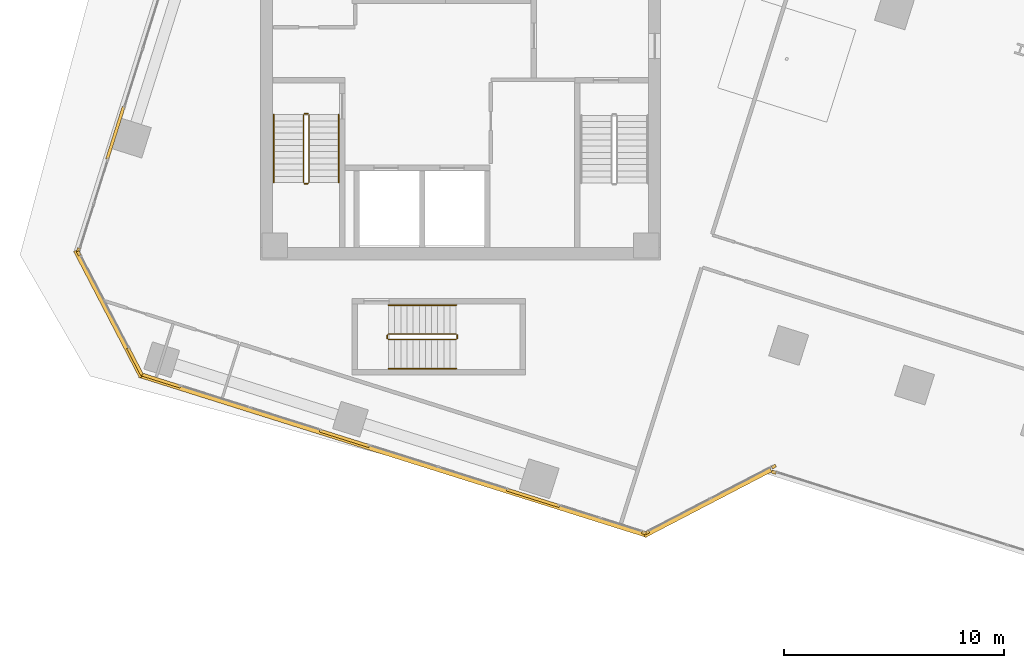
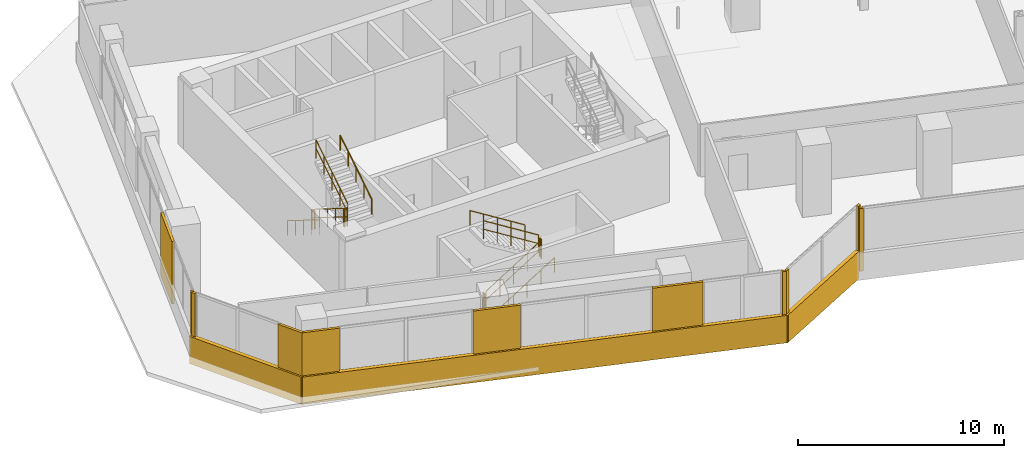
# One storey, part 24 of 28: 14 coverings, 12 railings.
"""IFC4 building model written with IfcOpenShell, lengths in metres."""

from ifc_helpers import new_model, si_unit, direction, frame, origin, origin_2d, place, context, subcontext, project, spatial, rectangle, circle, extrude, source, transform, mapped, material, layer, layer_set, type_object, element, save


model = new_model("IFC4")

# Units and contexts
model_context = context("Model", 3, precision=1e-05, world=origin(), true_north=direction((0.0, 1.0)))
body_context = subcontext(model_context, "Body", "Model", "MODEL_VIEW")
ifc_project = project(units=[si_unit("LENGTHUNIT", "METRE"), si_unit("AREAUNIT", "SQUARE_METRE"), si_unit("VOLUMEUNIT", "CUBIC_METRE"), si_unit("PLANEANGLEUNIT", "RADIAN"), si_unit("MASSUNIT", "GRAM", prefix="KILO")], contexts=[model_context])

# Site, building, storey
site_placement = place(None, origin())
site = spatial("IfcSite", under=ifc_project, at=site_placement, CompositionType="ELEMENT")
building_placement = place(site_placement, origin())
building = spatial("IfcBuilding", under=site, at=building_placement, Name="Torre Montelarca", CompositionType="ELEMENT")
storey_placement = place(building_placement, frame((0.0, 0.0, 112.60009765625)))
storey = spatial("IfcBuildingStorey", under=building, at=storey_placement, Name="L25", CompositionType="ELEMENT", Elevation=112.60009765625)

# Railings
ifc_material_1 = material(Name="Powder-coated steel ASTM A500 Grade C", Category="steel")
railing_type_1 = type_object("IfcRailingType", Name="RL-GUARD-1100", PredefinedType="BALUSTRADE", material=ifc_material_1)
railing_1_placement = place(storey_placement, frame((10.85009765625, 30.5, 0.1748046875)))
element("IfcRailing", 1, at=railing_1_placement, inside=storey, type_object=railing_type_1, Name="L25 ST1 stair guard 1", PredefinedType="BALUSTRADE", context=body_context, shape_type="SweptSolid", body=[
    extrude(circle(Radius=0.02392578125, at=origin_2d()), frame((0.0, 0.0, 1.076171875), z_axis=(0.0, -0.847998304005, 0.529998940003), x_axis=(1.0, 0.0, 0.0)), (0.0, 0.0, 1.0), 3.632080078125),
    extrude(circle(Radius=0.02099609375, at=origin_2d()), frame((0.0, 0.0, 0.572021484375), z_axis=(0.0, -0.847998304005, 0.529998940003), x_axis=(1.0, 0.0, 0.0)), (0.0, 0.0, 1.0), 3.632080078125),
    extrude(circle(Radius=0.02099609375, at=origin_2d()), origin(), (0.0, 0.0, 1.0), 1.052001953125),
    extrude(circle(Radius=0.02099609375, at=origin_2d()), frame((0.0, -0.77001953125, 0.481201171875)), (0.0, 0.0, 1.0), 1.052001953125),
    extrude(circle(Radius=0.02099609375, at=origin_2d()), frame((0.0, -1.5400390625, 0.96240234375)), (0.0, 0.0, 1.0), 1.052001953125),
    extrude(circle(Radius=0.02099609375, at=origin_2d()), frame((0.0, -2.31005859375, 1.44384765625)), (0.0, 0.0, 1.0), 1.052001953125),
    extrude(circle(Radius=0.02099609375, at=origin_2d()), frame((0.0, -3.080078125, 1.925048828125)), (0.0, 0.0, 1.0), 1.052001953125),
])
railing_2_placement = place(storey_placement, frame((10.89990234375, 27.3701171875, 2.099853515625)))
element("IfcRailing", 2, at=railing_2_placement, inside=storey, type_object=railing_type_1, Name="L25 ST1 stair guard 2", PredefinedType="BALUSTRADE", context=body_context, shape_type="SweptSolid", body=[
    extrude(circle(Radius=0.02392578125, at=origin_2d()), frame((0.0, 0.0, 1.076171875), z_axis=(1.0, 0.0, 0.0), x_axis=(0.0, 1.0, 0.0)), (0.0, 0.0, 1.0), 0.150146484375),
    extrude(circle(Radius=0.02099609375, at=origin_2d()), frame((0.0, 0.0, 0.572021484375), z_axis=(1.0, 0.0, 0.0), x_axis=(0.0, 1.0, 0.0)), (0.0, 0.0, 1.0), 0.150146484375),
    extrude(circle(Radius=0.02099609375, at=origin_2d()), origin(), (0.0, 0.0, 1.0), 1.052001953125),
    extrude(circle(Radius=0.02099609375, at=origin_2d()), frame((0.150146484375, 0.0, 0.0)), (0.0, 0.0, 1.0), 1.052001953125),
])
railing_3_placement = place(storey_placement, frame((11.10009765625, 27.419921875, 2.27490234375)))
element("IfcRailing", 3, at=railing_3_placement, inside=storey, type_object=railing_type_1, Name="L25 ST1 stair guard 3", PredefinedType="BALUSTRADE", context=body_context, shape_type="SweptSolid", body=[
    extrude(circle(Radius=0.02392578125, at=origin_2d()), frame((0.0, 0.0, 1.076171875), z_axis=(0.0, 0.847998304005, 0.529998940003), x_axis=(-1.0, 0.0, 0.0)), (0.0, 0.0, 1.0), 3.632080078125),
    extrude(circle(Radius=0.02099609375, at=origin_2d()), frame((0.0, 0.0, 0.572021484375), z_axis=(0.0, 0.847998304005, 0.529998940003), x_axis=(-1.0, 0.0, 0.0)), (0.0, 0.0, 1.0), 3.632080078125),
    extrude(circle(Radius=0.02099609375, at=origin_2d()), origin(), (0.0, 0.0, 1.0), 1.052001953125),
    extrude(circle(Radius=0.02099609375, at=origin_2d()), frame((0.0, 0.77001953125, 0.481201171875)), (0.0, 0.0, 1.0), 1.052001953125),
    extrude(circle(Radius=0.02099609375, at=origin_2d()), frame((0.0, 1.5400390625, 0.96240234375)), (0.0, 0.0, 1.0), 1.052001953125),
    extrude(circle(Radius=0.02099609375, at=origin_2d()), frame((0.0, 2.31005859375, 1.44384765625)), (0.0, 0.0, 1.0), 1.052001953125),
    extrude(circle(Radius=0.02099609375, at=origin_2d()), frame((0.0, 3.080078125, 1.925048828125)), (0.0, 0.0, 1.0), 1.052001953125),
])
railing_4_placement = place(storey_placement, frame((10.89990234375, 30.550048828125, 0.0)))
element("IfcRailing", 4, at=railing_4_placement, inside=storey, type_object=railing_type_1, Name="L25 ST1 stair guard 4", PredefinedType="BALUSTRADE", context=body_context, shape_type="SweptSolid", body=[
    extrude(circle(Radius=0.02392578125, at=origin_2d()), frame((0.0, 0.0, 1.076171875), z_axis=(1.0, 0.0, 0.0), x_axis=(0.0, 1.0, 0.0)), (0.0, 0.0, 1.0), 0.150146484375),
    extrude(circle(Radius=0.02099609375, at=origin_2d()), frame((0.0, 0.0, 0.572021484375), z_axis=(1.0, 0.0, 0.0), x_axis=(0.0, 1.0, 0.0)), (0.0, 0.0, 1.0), 0.150146484375),
    extrude(circle(Radius=0.02099609375, at=origin_2d()), origin(), (0.0, 0.0, 1.0), 1.052001953125),
    extrude(circle(Radius=0.02099609375, at=origin_2d()), frame((0.150146484375, 0.0, 0.0)), (0.0, 0.0, 1.0), 1.052001953125),
])
railing_5_placement = place(storey_placement, frame((14.719970703125, 20.27001953125, 0.1748046875)))
element("IfcRailing", 5, at=railing_5_placement, inside=storey, type_object=railing_type_1, Name="L25 ST3 stair guard 1", PredefinedType="BALUSTRADE", context=body_context, shape_type="SweptSolid", body=[
    extrude(circle(Radius=0.02392578125, at=origin_2d()), frame((0.0, 0.0, 1.076171875), z_axis=(0.847998304005, 0.0, 0.529998940003), x_axis=(0.0, 1.0, 0.0)), (0.0, 0.0, 1.0), 3.632080078125),
    extrude(circle(Radius=0.02099609375, at=origin_2d()), frame((0.0, 0.0, 0.572021484375), z_axis=(0.847998304005, 0.0, 0.529998940003), x_axis=(0.0, 1.0, 0.0)), (0.0, 0.0, 1.0), 3.632080078125),
    extrude(circle(Radius=0.02099609375, at=origin_2d()), origin(), (0.0, 0.0, 1.0), 1.052001953125),
    extrude(circle(Radius=0.02099609375, at=origin_2d()), frame((0.77001953125, 0.0, 0.481201171875)), (0.0, 0.0, 1.0), 1.052001953125),
    extrude(circle(Radius=0.02099609375, at=origin_2d()), frame((1.5400390625, 0.0, 0.96240234375)), (0.0, 0.0, 1.0), 1.052001953125),
    extrude(circle(Radius=0.02099609375, at=origin_2d()), frame((2.31005859375, 0.0, 1.44384765625)), (0.0, 0.0, 1.0), 1.052001953125),
    extrude(circle(Radius=0.02099609375, at=origin_2d()), frame((3.080078125, 0.0, 1.925048828125)), (0.0, 0.0, 1.0), 1.052001953125),
])
railing_6_placement = place(storey_placement, frame((17.85009765625, 20.320068359375, 2.099853515625)))
element("IfcRailing", 6, at=railing_6_placement, inside=storey, type_object=railing_type_1, Name="L25 ST3 stair guard 2", PredefinedType="BALUSTRADE", context=body_context, shape_type="SweptSolid", body=[
    extrude(circle(Radius=0.02392578125, at=origin_2d()), frame((0.0, 0.0, 1.076171875), z_axis=(0.0, 1.0, 0.0), x_axis=(-1.0, 0.0, 0.0)), (0.0, 0.0, 1.0), 0.14990234375),
    extrude(circle(Radius=0.02099609375, at=origin_2d()), frame((0.0, 0.0, 0.572021484375), z_axis=(0.0, 1.0, 0.0), x_axis=(-1.0, 0.0, 0.0)), (0.0, 0.0, 1.0), 0.14990234375),
    extrude(circle(Radius=0.02099609375, at=origin_2d()), origin(), (0.0, 0.0, 1.0), 1.052001953125),
    extrude(circle(Radius=0.02099609375, at=origin_2d()), frame((0.0, 0.14990234375, 0.0)), (0.0, 0.0, 1.0), 1.052001953125),
])
railing_7_placement = place(storey_placement, frame((17.800048828125, 20.52001953125, 2.27490234375)))
element("IfcRailing", 7, at=railing_7_placement, inside=storey, type_object=railing_type_1, Name="L25 ST3 stair guard 3", PredefinedType="BALUSTRADE", context=body_context, shape_type="SweptSolid", body=[
    extrude(circle(Radius=0.02392578125, at=origin_2d()), frame((0.0, 0.0, 1.076171875), z_axis=(-0.847998304005, 0.0, 0.529998940003), x_axis=(0.0, -1.0, 0.0)), (0.0, 0.0, 1.0), 3.632080078125),
    extrude(circle(Radius=0.02099609375, at=origin_2d()), frame((0.0, 0.0, 0.572021484375), z_axis=(-0.847998304005, 0.0, 0.529998940003), x_axis=(0.0, -1.0, 0.0)), (0.0, 0.0, 1.0), 3.632080078125),
    extrude(circle(Radius=0.02099609375, at=origin_2d()), origin(), (0.0, 0.0, 1.0), 1.052001953125),
    extrude(circle(Radius=0.02099609375, at=origin_2d()), frame((-0.77001953125, 0.0, 0.481201171875)), (0.0, 0.0, 1.0), 1.052001953125),
    extrude(circle(Radius=0.02099609375, at=origin_2d()), frame((-1.5400390625, 0.0, 0.96240234375)), (0.0, 0.0, 1.0), 1.052001953125),
    extrude(circle(Radius=0.02099609375, at=origin_2d()), frame((-2.31005859375, 0.0, 1.44384765625)), (0.0, 0.0, 1.0), 1.052001953125),
    extrude(circle(Radius=0.02099609375, at=origin_2d()), frame((-3.080078125, 0.0, 1.925048828125)), (0.0, 0.0, 1.0), 1.052001953125),
])
railing_8_placement = place(storey_placement, frame((14.669921875, 20.320068359375, 0.0)))
element("IfcRailing", 8, at=railing_8_placement, inside=storey, type_object=railing_type_1, Name="L25 ST3 stair guard 4", PredefinedType="BALUSTRADE", context=body_context, shape_type="SweptSolid", body=[
    extrude(circle(Radius=0.02392578125, at=origin_2d()), frame((0.0, 0.0, 1.076171875), z_axis=(0.0, 1.0, 0.0), x_axis=(-1.0, 0.0, 0.0)), (0.0, 0.0, 1.0), 0.14990234375),
    extrude(circle(Radius=0.02099609375, at=origin_2d()), frame((0.0, 0.0, 0.572021484375), z_axis=(0.0, 1.0, 0.0), x_axis=(-1.0, 0.0, 0.0)), (0.0, 0.0, 1.0), 0.14990234375),
    extrude(circle(Radius=0.02099609375, at=origin_2d()), origin(), (0.0, 0.0, 1.0), 1.052001953125),
    extrude(circle(Radius=0.02099609375, at=origin_2d()), frame((0.0, 0.14990234375, 0.0)), (0.0, 0.0, 1.0), 1.052001953125),
])
ifc_material_2 = material(Name="Brushed stainless steel AISI 316", Category="steel")
railing_type_2 = type_object("IfcRailingType", Name="RL-HANDRAIL-900", PredefinedType="HANDRAIL", material=ifc_material_2)
railing_9_placement = place(storey_placement, frame((9.5, 30.5, 0.1748046875)))
element("IfcRailing", 9, at=railing_9_placement, inside=storey, type_object=railing_type_2, Name="L25 ST1 stair handrail 1", PredefinedType="HANDRAIL", context=body_context, shape_type="SweptSolid", body=[
    extrude(circle(Radius=0.02392578125, at=origin_2d()), frame((0.0, 0.0, 0.8759765625), z_axis=(0.0, -0.847998304005, 0.529998940003), x_axis=(1.0, 0.0, 0.0)), (0.0, 0.0, 1.0), 3.632080078125),
    extrude(circle(Radius=0.02099609375, at=origin_2d()), origin(), (0.0, 0.0, 1.0), 0.851806640625),
    extrude(circle(Radius=0.02099609375, at=origin_2d()), frame((0.0, -0.77001953125, 0.481201171875)), (0.0, 0.0, 1.0), 0.851806640625),
    extrude(circle(Radius=0.02099609375, at=origin_2d()), frame((0.0, -1.5400390625, 0.96240234375)), (0.0, 0.0, 1.0), 0.851806640625),
    extrude(circle(Radius=0.02099609375, at=origin_2d()), frame((0.0, -2.31005859375, 1.44384765625)), (0.0, 0.0, 1.0), 0.851806640625),
    extrude(circle(Radius=0.02099609375, at=origin_2d()), frame((0.0, -3.080078125, 1.925048828125)), (0.0, 0.0, 1.0), 0.851806640625),
])
railing_10_placement = place(storey_placement, frame((12.449951171875, 27.419921875, 2.27490234375)))
element("IfcRailing", 10, at=railing_10_placement, inside=storey, type_object=railing_type_2, Name="L25 ST1 stair handrail 2", PredefinedType="HANDRAIL", context=body_context, shape_type="SweptSolid", body=[
    extrude(circle(Radius=0.02392578125, at=origin_2d()), frame((0.0, 0.0, 0.8759765625), z_axis=(0.0, 0.847998304005, 0.529998940003), x_axis=(-1.0, 0.0, 0.0)), (0.0, 0.0, 1.0), 3.632080078125),
    extrude(circle(Radius=0.02099609375, at=origin_2d()), origin(), (0.0, 0.0, 1.0), 0.851806640625),
    extrude(circle(Radius=0.02099609375, at=origin_2d()), frame((0.0, 0.77001953125, 0.481201171875)), (0.0, 0.0, 1.0), 0.851806640625),
    extrude(circle(Radius=0.02099609375, at=origin_2d()), frame((0.0, 1.5400390625, 0.96240234375)), (0.0, 0.0, 1.0), 0.851806640625),
    extrude(circle(Radius=0.02099609375, at=origin_2d()), frame((0.0, 2.31005859375, 1.44384765625)), (0.0, 0.0, 1.0), 0.851806640625),
    extrude(circle(Radius=0.02099609375, at=origin_2d()), frame((0.0, 3.080078125, 1.925048828125)), (0.0, 0.0, 1.0), 0.851806640625),
])
railing_11_placement = place(storey_placement, frame((14.719970703125, 18.949951171875, 0.1748046875)))
element("IfcRailing", 11, at=railing_11_placement, inside=storey, type_object=railing_type_2, Name="L25 ST3 stair handrail 1", PredefinedType="HANDRAIL", context=body_context, shape_type="SweptSolid", body=[
    extrude(circle(Radius=0.02392578125, at=origin_2d()), frame((0.0, 0.0, 0.8759765625), z_axis=(0.847998304005, 0.0, 0.529998940003), x_axis=(0.0, 1.0, 0.0)), (0.0, 0.0, 1.0), 3.632080078125),
    extrude(circle(Radius=0.02099609375, at=origin_2d()), origin(), (0.0, 0.0, 1.0), 0.851806640625),
    extrude(circle(Radius=0.02099609375, at=origin_2d()), frame((0.77001953125, 0.0, 0.481201171875)), (0.0, 0.0, 1.0), 0.851806640625),
    extrude(circle(Radius=0.02099609375, at=origin_2d()), frame((1.5400390625, 0.0, 0.96240234375)), (0.0, 0.0, 1.0), 0.851806640625),
    extrude(circle(Radius=0.02099609375, at=origin_2d()), frame((2.31005859375, 0.0, 1.44384765625)), (0.0, 0.0, 1.0), 0.851806640625),
    extrude(circle(Radius=0.02099609375, at=origin_2d()), frame((3.080078125, 0.0, 1.925048828125)), (0.0, 0.0, 1.0), 0.851806640625),
])
railing_12_placement = place(storey_placement, frame((17.800048828125, 21.840087890625, 2.27490234375)))
element("IfcRailing", 12, at=railing_12_placement, inside=storey, type_object=railing_type_2, Name="L25 ST3 stair handrail 2", PredefinedType="HANDRAIL", context=body_context, shape_type="SweptSolid", body=[
    extrude(circle(Radius=0.02392578125, at=origin_2d()), frame((0.0, 0.0, 0.8759765625), z_axis=(-0.847998304005, 0.0, 0.529998940003), x_axis=(0.0, -1.0, 0.0)), (0.0, 0.0, 1.0), 3.632080078125),
    extrude(circle(Radius=0.02099609375, at=origin_2d()), origin(), (0.0, 0.0, 1.0), 0.851806640625),
    extrude(circle(Radius=0.02099609375, at=origin_2d()), frame((-0.77001953125, 0.0, 0.481201171875)), (0.0, 0.0, 1.0), 0.851806640625),
    extrude(circle(Radius=0.02099609375, at=origin_2d()), frame((-1.5400390625, 0.0, 0.96240234375)), (0.0, 0.0, 1.0), 0.851806640625),
    extrude(circle(Radius=0.02099609375, at=origin_2d()), frame((-2.31005859375, 0.0, 1.44384765625)), (0.0, 0.0, 1.0), 0.851806640625),
    extrude(circle(Radius=0.02099609375, at=origin_2d()), frame((-3.080078125, 0.0, 1.925048828125)), (0.0, 0.0, 1.0), 0.851806640625),
])

# Coverings
ifc_material_3 = material(Name="Bush-hammered warm white precast concrete C45/55", Category="concrete")
ifc_layer = layer(ifc_material_3, 0.139892578125, Name="Bush-hammered warm white precast concrete C45/55", Category="concrete")
ifc_layer_set = layer_set([ifc_layer], Name="Bush-hammered warm white precast concrete C45/55")
covering_type = type_object("IfcCoveringType", Name="COV-TRAY-CLAD", PredefinedType="CLADDING", material=ifc_layer_set)
shared_shape_1 = source(origin(), body_context, "Body", "SweptSolid", [
    extrude(rectangle(XDim=24.219970703125, YDim=0.219970703125, at=origin_2d()), origin(), (0.0, 0.0, 1.0), 1.6201171875),
])
covering_1_placement = place(storey_placement, frame((14.939453125, 15.016845703125, -0.4501953125), z_axis=(0.0, 0.0, 1.0), x_axis=(0.953716950748, -0.300705799504, 0.0)))
element("IfcCovering", 13, at=covering_1_placement, inside=storey, type_object=covering_type, Name="L25 Architectural White Spandrel Tray Band TRYBOT-01", PredefinedType="CLADDING", context=body_context, shape_type="MappedRepresentation", body=[
    mapped(shared_shape_1, transform((0.0, 0.0, 0.0), scale=1.0)),
])
shared_shape_2 = source(origin(), body_context, "Body", "SweptSolid", [
    extrude(rectangle(XDim=6.48388671875, YDim=0.219970703125, at=origin_2d()), origin(), (0.0, 0.0, 1.0), 1.6201171875),
])
for number, where, z_axis, x_axis, name in (
    (14, (29.231201171875, 12.860595703125, -0.4501953125), (0.0, 0.0, 1.0), (0.88701405677, 0.46174242072, 0.0), "L25 Architectural White Spandrel Tray Band TRYBOT-02"),
    (15, (1.995361328125, 21.447998046875, -0.4501953125), (0.0, 0.0, 1.0), (0.461754805728, -0.887007609543, 0.0), "L25 Architectural White Spandrel Tray Band TRYBOT-11"),
):
    element("IfcCovering", number, at=place(storey_placement, frame(where, z_axis=z_axis, x_axis=x_axis)), inside=storey, type_object=covering_type, Name=name, PredefinedType="CLADDING", context=body_context, shape_type="MappedRepresentation", body=[
        mapped(shared_shape_2, transform((0.0, 0.0, 0.0), scale=1.0)),
    ])
shared_shape_3 = source(origin(), body_context, "Body", "SweptSolid", [
    extrude(rectangle(XDim=0.199951171875, YDim=0.139892578125, at=origin_2d()), origin(), (0.0, 0.0, 1.0), 3.719970703125),
])
for number, where, z_axis, x_axis, name in (
    (16, (26.33935546875, 11.4853515625, 0.0), (0.0, 0.0, 1.0), (0.953717475577, -0.300704134954, 0.0), "L25 Architectural Column Pier Cladding E01-4"),
    (17, (26.48388671875, 11.498046875, 0.0), (0.0, 0.0, 1.0), (0.88701163908, 0.461747065108, 0.0), "L25 Architectural Column Pier Cladding E02-1"),
    (18, (32.24951171875, 14.49951171875, 0.0), (0.0, 0.0, 1.0), (0.88701163908, 0.461747065108, 0.0), "L25 Architectural Column Pier Cladding E02-2"),
    (19, (32.247802734375, 14.23583984375, 0.0), (0.0, 0.0, 1.0), (0.953718000404, -0.300702470402, 0.0), "L25 Architectural Column Pier Cladding E04-1"),
    (20, (0.6201171875, 24.340087890625, 0.0), (0.0, 0.0, 1.0), (-0.300707464054, -0.953716425916, 0.0), "L25 Architectural Column Pier Cladding E10-5"),
    (21, (0.6328125, 24.195556640625, 0.0), (0.0, 0.0, 1.0), (0.461748613235, -0.887010833178, 0.0), "L25 Architectural Column Pier Cladding E11-1"),
):
    element("IfcCovering", number, at=place(storey_placement, frame(where, z_axis=z_axis, x_axis=x_axis)), inside=storey, type_object=covering_type, Name=name, PredefinedType="CLADDING", context=body_context, shape_type="MappedRepresentation", body=[
        mapped(shared_shape_3, transform((0.0, 0.0, 0.0), scale=1.0)),
    ])
shared_shape_4 = source(origin(), body_context, "Body", "SweptSolid", [
    extrude(rectangle(XDim=2.360107421875, YDim=0.139892578125, at=origin_2d()), origin(), (0.0, 0.0, 1.0), 3.719970703125),
])
covering_2_placement = place(storey_placement, frame((12.71630859375, 15.78076171875, 0.0), z_axis=(0.0, 0.0, 1.0), x_axis=(0.953717475577, -0.300704134954, 0.0)))
element("IfcCovering", 22, at=covering_2_placement, inside=storey, type_object=covering_type, Name="L25 Architectural Column Pier Cladding E01-2", PredefinedType="CLADDING", context=body_context, shape_type="MappedRepresentation", body=[
    mapped(shared_shape_4, transform((0.0, 0.0, 0.0), scale=1.0)),
])
shared_shape_5 = source(origin(), body_context, "Body", "SweptSolid", [
    extrude(rectangle(XDim=2.510009765625, YDim=0.139892578125, at=origin_2d()), origin(), (0.0, 0.0, 1.0), 3.719970703125),
])
for number, where, z_axis, x_axis, name in (
    (23, (21.2998046875, 13.074462890625, 0.0), (0.0, 0.0, 1.0), (0.953717475577, -0.300704134954, 0.0), "L25 Architectural Column Pier Cladding E01-3"),
    (24, (2.29931640625, 29.665771484375, 0.0), (0.0, 0.0, 1.0), (-0.300707464054, -0.953716425916, 0.0), "L25 Architectural Column Pier Cladding E10-4"),
):
    element("IfcCovering", number, at=place(storey_placement, frame(where, z_axis=z_axis, x_axis=x_axis)), inside=storey, type_object=covering_type, Name=name, PredefinedType="CLADDING", context=body_context, shape_type="MappedRepresentation", body=[
        mapped(shared_shape_5, transform((0.0, 0.0, 0.0), scale=1.0)),
    ])
shared_shape_6 = source(origin(), body_context, "Body", "SweptSolid", [
    extrude(rectangle(XDim=1.8642578125, YDim=0.139892578125, at=origin_2d()), origin(), (0.0, 0.0, 1.0), 3.719970703125),
])
covering_3_placement = place(storey_placement, frame((4.369140625, 18.41259765625, 0.0), z_axis=(0.0, 0.0, 1.0), x_axis=(0.953717475577, -0.300704134954, 0.0)))
element("IfcCovering", 25, at=covering_3_placement, inside=storey, type_object=covering_type, Name="L25 Architectural Column Pier Cladding E01-1", PredefinedType="CLADDING", context=body_context, shape_type="MappedRepresentation", body=[
    mapped(shared_shape_6, transform((0.0, 0.0, 0.0), scale=1.0)),
])
shared_shape_7 = source(origin(), body_context, "Body", "SweptSolid", [
    extrude(rectangle(XDim=1.376220703125, YDim=0.139892578125, at=origin_2d()), origin(), (0.0, 0.0, 1.0), 3.719970703125),
])
covering_4_placement = place(storey_placement, frame((3.19287109375, 19.277587890625, 0.0), z_axis=(0.0, 0.0, 1.0), x_axis=(0.461748613235, -0.887010833178, 0.0)))
element("IfcCovering", 26, at=covering_4_placement, inside=storey, type_object=covering_type, Name="L25 Architectural Column Pier Cladding E11-2", PredefinedType="CLADDING", context=body_context, shape_type="MappedRepresentation", body=[
    mapped(shared_shape_7, transform((0.0, 0.0, 0.0), scale=1.0)),
])

save(model, "model.ifc")
